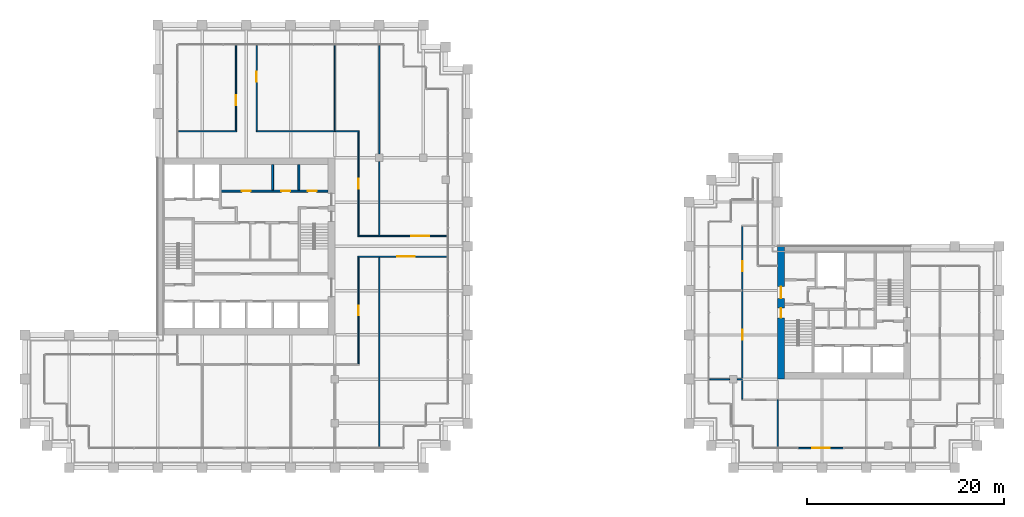
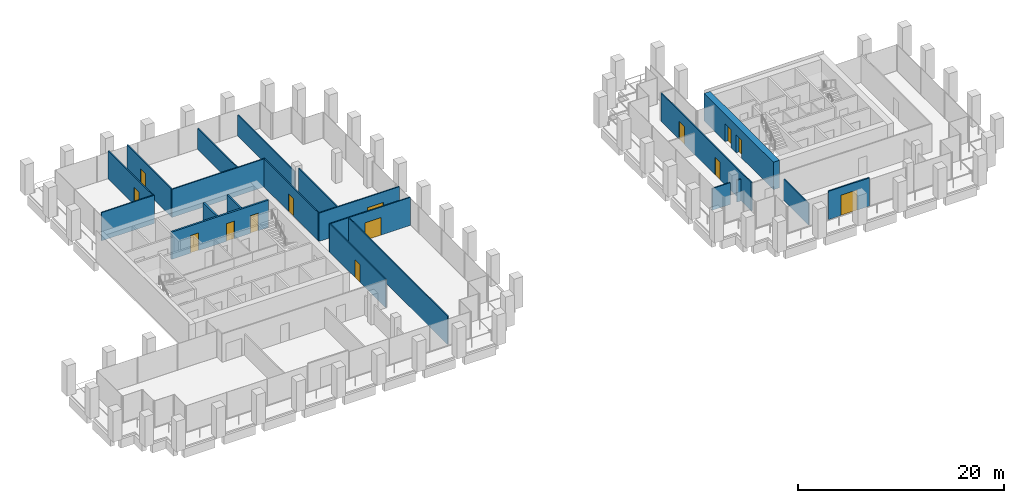
# One storey, part 42 of 45: 21 walls, 14 doors, 14 openings.
"""IFC4 building model written with IfcOpenShell, lengths in metres."""

from ifc_helpers import new_model, si_unit, direction, frame, frame_2d, origin, place, context, subcontext, project, spatial, rectangle, extrude, material, layer, layer_set, type_object, element, fill, save


model = new_model("IFC4")

# Units and contexts
model_context = context("Model", 3, precision=1e-05, world=origin(), true_north=direction((0.0, 1.0)))
body_context = subcontext(model_context, "Body", "Model", "MODEL_VIEW")
ifc_project = project(units=[si_unit("LENGTHUNIT", "METRE"), si_unit("AREAUNIT", "SQUARE_METRE"), si_unit("VOLUMEUNIT", "CUBIC_METRE"), si_unit("PLANEANGLEUNIT", "RADIAN"), si_unit("MASSUNIT", "GRAM", prefix="KILO")], contexts=[model_context])

# Site, building, storey
site_placement = place(None, origin())
site = spatial("IfcSite", under=ifc_project, at=site_placement, CompositionType="ELEMENT")
building_placement = place(site_placement, origin())
building = spatial("IfcBuilding", under=site, at=building_placement, Name="Altepetl Exchange Towers", CompositionType="ELEMENT")
storey_placement = place(building_placement, frame((0.0, 0.0, 110.0)))
storey = spatial("IfcBuildingStorey", under=building, at=storey_placement, Name="L27", CompositionType="ELEMENT", Elevation=110.0)

# Wall, openings, doors
ifc_material_1 = material(Name="Concrete C70/85", Category="concrete")
ifc_layer_1 = layer(ifc_material_1, 0.699951171875)
ifc_layer_set_1 = layer_set([ifc_layer_1], Name="Concrete C70/85")
wall_type_1 = type_object("IfcWallType", Name="Core wall 700 reinforced concrete", PredefinedType="SHEAR", material=ifc_layer_set_1)
wall_1_placement = place(storey_placement, frame((103.85009765625, 36.0, 0.0), z_axis=(0.0, 0.0, 1.0), x_axis=(0.0, 1.0, 0.0)))
wall_1 = element("IfcWall", 1, at=wall_1_placement, inside=storey, type_object=wall_type_1, Name="wall:B:L27:K-coreW", PredefinedType="SHEAR", context=body_context, shape_type="SweptSolid", body=[
    extrude(rectangle(XDim=13.5, YDim=0.699951171875, at=frame_2d((6.75, 0.0))), origin(), (0.0, 0.0, 1.0), 3.25),
])
opening_1_placement = place(wall_1_placement, frame((8.199951171875, 0.0, 0.0)))
opening_1 = element("IfcOpeningElement", 2, at=opening_1_placement, cuts=wall_1, Name="Opening L27.B60", PredefinedType="OPENING", context=body_context, shape_type="SweptSolid", body=[
    extrude(rectangle(XDim=1.199951171875, YDim=2.10009765625, at=frame_2d((0.60009765625, 1.050048828125))), frame((0.0, 0.35986328125, 0.0), z_axis=(0.0, -1.0, 0.0), x_axis=(1.0, 0.0, 0.0)), (0.0, 0.0, 1.0), 0.719970703125),
])
opening_2_placement = place(wall_1_placement, frame((6.22509765625, 0.0, 0.0)))
opening_2 = element("IfcOpeningElement", 3, at=opening_2_placement, cuts=wall_1, Name="Opening L27.B63", PredefinedType="OPENING", context=body_context, shape_type="SweptSolid", body=[
    extrude(rectangle(XDim=1.0, YDim=2.10009765625, at=frame_2d((0.5, 1.050048828125))), frame((0.0, 0.35986328125, 0.0), z_axis=(0.0, -1.0, 0.0), x_axis=(1.0, 0.0, 0.0)), (0.0, 0.0, 1.0), 0.719970703125),
])
ifc_material_2 = material(Name="Steel and timber fire door", Category="steel")
door_type_1 = type_object("IfcDoorType", Name="Fire door 1000 x 2100 stair and lobby", OperationType="SINGLE_SWING_LEFT", PredefinedType="DOOR", material=ifc_material_2)
door_1_placement = place(opening_2_placement, frame((1.0, 0.0, 0.0), x_axis=(-1.0, 0.0, 0.0)))
door_1 = element("IfcDoor", 4, at=door_1_placement, inside=storey, type_object=door_type_1, Name="door:B:L27:K-dS1x", OperationType="SINGLE_SWING_RIGHT", OverallHeight=2.10009765625, OverallWidth=1.0, PredefinedType="DOOR", context=body_context, shape_type="SweptSolid", body=[
    extrude(rectangle(XDim=1.0, YDim=2.10009765625, at=frame_2d((0.5, 1.050048828125))), frame((0.0, 0.02490234375, 0.0), z_axis=(0.0, -1.0, 0.0), x_axis=(1.0, 0.0, 0.0)), (0.0, 0.0, 1.0), 0.050048828125),
])
fill(opening_2, door_1)
door_type_2 = type_object("IfcDoorType", Name="Fire door 1200 x 2100 lobby entry", OperationType="SINGLE_SWING_LEFT", PredefinedType="DOOR", material=ifc_material_2)
door_2_placement = place(opening_1_placement, frame((1.199951171875, 0.0, 0.0), x_axis=(-1.0, 0.0, 0.0)))
door_2 = element("IfcDoor", 5, at=door_2_placement, inside=storey, type_object=door_type_2, Name="door:B:L27:K-dLNW", OperationType="SINGLE_SWING_RIGHT", OverallHeight=2.10009765625, OverallWidth=1.199951171875, PredefinedType="DOOR", context=body_context, shape_type="SweptSolid", body=[
    extrude(rectangle(XDim=1.199951171875, YDim=2.10009765625, at=frame_2d((0.60009765625, 1.050048828125))), frame((0.0, 0.02490234375, 0.0), z_axis=(0.0, -1.0, 0.0), x_axis=(1.0, 0.0, 0.0)), (0.0, 0.0, 1.0), 0.050048828125),
])
fill(opening_1, door_2)

# Wall, opening, door
ifc_material_3 = material(Name="Aluminium composite cladding", Category="aluminium")
ifc_layer_2 = layer(ifc_material_3, 0.14990234375)
ifc_layer_set_2 = layer_set([ifc_layer_2], Name="Aluminium composite cladding")
wall_type_2 = type_object("IfcWallType", Name="Infill wall 150 aluminium panel", PredefinedType="SOLIDWALL", material=ifc_layer_set_2)
wall_2_placement = place(storey_placement, frame((105.606201171875, 29.0, 0.0)))
wall_2 = element("IfcWall", 6, at=wall_2_placement, inside=storey, type_object=wall_type_2, Name="Loggia door bay wall", PredefinedType="SOLIDWALL", context=body_context, shape_type="SweptSolid", body=[
    extrude(rectangle(XDim=4.606201171875, YDim=0.14990234375, at=frame_2d((2.30322265625, 0.0))), origin(), (0.0, 0.0, 1.0), 3.35009765625),
])
opening_3_placement = place(wall_2_placement, frame((1.403076171875, 0.0, 0.0)))
opening_3 = element("IfcOpeningElement", 7, at=opening_3_placement, cuts=wall_2, Name="Opening L27.B90", PredefinedType="OPENING", context=body_context, shape_type="SweptSolid", body=[
    extrude(rectangle(XDim=1.800048828125, YDim=2.39990234375, at=frame_2d((0.89990234375, 1.199951171875))), frame((0.0, 0.0849609375, 0.0), z_axis=(0.0, -1.0, 0.0), x_axis=(1.0, 0.0, 0.0)), (0.0, 0.0, 1.0), 0.169921875),
])
ifc_material_4 = material(Name="Aluminium 6063-T6 and glass", Category="aluminium")
door_type_3 = type_object("IfcDoorType", Name="Glazed door pair 1800x2400", OperationType="DOUBLE_DOOR_DOUBLE_SWING", PredefinedType="NOTDEFINED", material=ifc_material_4)
door_3_placement = place(opening_3_placement, frame((1.800048828125, 0.0, 0.0), x_axis=(-1.0, 0.0, 0.0)))
door_3 = element("IfcDoor", 8, at=door_3_placement, inside=storey, type_object=door_type_3, Name="Loggia door", OperationType="DOUBLE_DOOR_DOUBLE_SWING", OverallHeight=2.39990234375, OverallWidth=1.800048828125, PredefinedType="NOTDEFINED", context=body_context, shape_type="SweptSolid", body=[
    extrude(rectangle(XDim=1.800048828125, YDim=2.39990234375, at=frame_2d((0.89990234375, 1.199951171875))), frame((0.0, 0.02490234375, 0.0), z_axis=(0.0, -1.0, 0.0), x_axis=(1.0, 0.0, 0.0)), (0.0, 0.0, 1.0), 0.050048828125),
])
fill(opening_3, door_3)

# Wall
ifc_material_5 = material(Name="Timber panels on aluminium track", Category="wood")
ifc_layer_3 = layer(ifc_material_5, 0.125)
ifc_layer_set_3 = layer_set([ifc_layer_3], Name="Timber panels on aluminium track")
wall_type_3 = type_object("IfcWallType", Name="Operable acoustic partition 125", PredefinedType="MOVABLE", material=ifc_layer_set_3)
wall_3_placement = place(storey_placement, frame((58.5, 61.199951171875, 0.0), z_axis=(0.0, 0.0, 1.0), x_axis=(0.0, 1.0, 0.0)))
element("IfcWall", 9, at=wall_3_placement, inside=storey, type_object=wall_type_3, Name="wall:A:L27:P14", PredefinedType="MOVABLE", context=body_context, shape_type="SweptSolid", body=[
    extrude(rectangle(XDim=8.699951171875, YDim=0.125, at=frame_2d((4.35009765625, 0.0))), origin(), (0.0, 0.0, 1.0), 2.50390625),
])

# Wall, opening, door
ifc_material_6 = material(Name="Gypsum board on steel studs", Category="steel")
ifc_layer_4 = layer(ifc_material_6, 0.125)
ifc_layer_set_4 = layer_set([ifc_layer_4], Name="Gypsum board on steel studs")
wall_type_4 = type_object("IfcWallType", Name="Partition 125 gypsum board on steel studs", PredefinedType="PARTITIONING", material=ifc_layer_set_4)
wall_4_placement = place(storey_placement, frame((60.83740234375, 48.449951171875, 0.0)))
wall_4 = element("IfcWall", 10, at=wall_4_placement, inside=storey, type_object=wall_type_4, Name="wall:A:L27:P02", PredefinedType="PARTITIONING", context=body_context, shape_type="SweptSolid", body=[
    extrude(rectangle(XDim=9.0625, YDim=0.125, at=frame_2d((4.53125, 0.0))), origin(), (0.0, 0.0, 1.0), 3.35009765625),
])
opening_4_placement = place(wall_4_placement, frame((3.9775390625, 0.0, 0.0)))
opening_4 = element("IfcOpeningElement", 11, at=opening_4_placement, cuts=wall_4, Name="Opening L27.A05", PredefinedType="OPENING", context=body_context, shape_type="SweptSolid", body=[
    extrude(rectangle(XDim=1.800048828125, YDim=2.10009765625, at=frame_2d((0.89990234375, 1.050048828125))), frame((0.0, 0.072509765625, 0.0), z_axis=(0.0, -1.0, 0.0), x_axis=(1.0, 0.0, 0.0)), (0.0, 0.0, 1.0), 0.14501953125),
])
door_type_4 = type_object("IfcDoorType", Name="Fire door 1800 x 2100 double leaf", OperationType="DOUBLE_DOOR_SINGLE_SWING", PredefinedType="DOOR", material=ifc_material_2)
door_4_placement = place(opening_4_placement, frame((1.800048828125, 0.0, 0.0), x_axis=(-1.0, 0.0, 0.0)))
door_4 = element("IfcDoor", 12, at=door_4_placement, inside=storey, type_object=door_type_4, Name="door:A:L27:05", OperationType="DOUBLE_DOOR_SINGLE_SWING", OverallHeight=2.10009765625, OverallWidth=1.800048828125, PredefinedType="DOOR", context=body_context, shape_type="SweptSolid", body=[
    extrude(rectangle(XDim=1.800048828125, YDim=2.10009765625, at=frame_2d((0.89990234375, 1.050048828125))), frame((0.0, 0.02490234375, 0.0), z_axis=(0.0, -1.0, 0.0), x_axis=(1.0, 0.0, 0.0)), (0.0, 0.0, 1.0), 0.050048828125),
])
fill(opening_4, door_4)

wall_5_placement = place(storey_placement, frame((60.83740234375, 50.550048828125, 0.0)))
wall_5 = element("IfcWall", 13, at=wall_5_placement, inside=storey, type_object=wall_type_4, Name="wall:A:L27:P03", PredefinedType="PARTITIONING", context=body_context, shape_type="SweptSolid", body=[
    extrude(rectangle(XDim=9.0625, YDim=0.125, at=frame_2d((4.53125, 0.0))), origin(), (0.0, 0.0, 1.0), 3.35009765625),
])
opening_5_placement = place(wall_5_placement, frame((5.447509765625, 0.0, 0.0)))
opening_5 = element("IfcOpeningElement", 14, at=opening_5_placement, cuts=wall_5, Name="Opening L27.A06", PredefinedType="OPENING", context=body_context, shape_type="SweptSolid", body=[
    extrude(rectangle(XDim=1.800048828125, YDim=2.10009765625, at=frame_2d((0.89990234375, 1.050048828125))), frame((0.0, 0.072509765625, 0.0), z_axis=(0.0, -1.0, 0.0), x_axis=(1.0, 0.0, 0.0)), (0.0, 0.0, 1.0), 0.14501953125),
])
door_5_placement = place(opening_5_placement, origin())
door_5 = element("IfcDoor", 15, at=door_5_placement, inside=storey, type_object=door_type_4, Name="door:A:L27:06", OperationType="DOUBLE_DOOR_SINGLE_SWING", OverallHeight=2.10009765625, OverallWidth=1.800048828125, PredefinedType="DOOR", context=body_context, shape_type="SweptSolid", body=[
    extrude(rectangle(XDim=1.800048828125, YDim=2.10009765625, at=frame_2d((0.89990234375, 1.050048828125))), frame((0.0, 0.02490234375, 0.0), z_axis=(0.0, -1.0, 0.0), x_axis=(1.0, 0.0, 0.0)), (0.0, 0.0, 1.0), 0.050048828125),
])
fill(opening_5, door_5)

# Walls
wall_6_placement = place(storey_placement, frame((42.60009765625, 61.199951171875, 0.0)))
element("IfcWall", 16, at=wall_6_placement, inside=storey, type_object=wall_type_4, Name="wall:A:L27:P04", PredefinedType="PARTITIONING", context=body_context, shape_type="SweptSolid", body=[
    extrude(rectangle(XDim=5.912353515625, YDim=0.125, at=frame_2d((2.9560546875, 0.0))), origin(), (0.0, 0.0, 1.0), 3.35009765625),
])
wall_7_placement = place(storey_placement, frame((50.487548828125, 61.199951171875, 0.0)))
element("IfcWall", 17, at=wall_7_placement, inside=storey, type_object=wall_type_4, Name="wall:A:L27:P05", PredefinedType="PARTITIONING", context=body_context, shape_type="SweptSolid", body=[
    extrude(rectangle(XDim=10.474853515625, YDim=0.125, at=frame_2d((5.2373046875, 0.0))), origin(), (0.0, 0.0, 1.0), 3.35009765625),
])

# Wall, opening, door
wall_8_placement = place(storey_placement, frame((48.449951171875, 61.262451171875, 0.0), z_axis=(0.0, 0.0, 1.0), x_axis=(0.0, 1.0, 0.0)))
wall_8 = element("IfcWall", 18, at=wall_8_placement, inside=storey, type_object=wall_type_4, Name="wall:A:L27:P08", PredefinedType="PARTITIONING", context=body_context, shape_type="SweptSolid", body=[
    extrude(rectangle(XDim=8.637451171875, YDim=0.125, at=frame_2d((4.31884765625, 0.0))), origin(), (0.0, 0.0, 1.0), 3.35009765625),
])
opening_6_placement = place(wall_8_placement, frame((2.597412109375, 0.0, 0.0)))
opening_6 = element("IfcOpeningElement", 19, at=opening_6_placement, cuts=wall_8, Name="Opening L27.A08", PredefinedType="OPENING", context=body_context, shape_type="SweptSolid", body=[
    extrude(rectangle(XDim=1.0, YDim=2.10009765625, at=frame_2d((0.5, 1.050048828125))), frame((0.0, 0.072509765625, 0.0), z_axis=(0.0, -1.0, 0.0), x_axis=(1.0, 0.0, 0.0)), (0.0, 0.0, 1.0), 0.14501953125),
])
door_type_5 = type_object("IfcDoorType", Name="Fire door 1000 x 2100 single leaf", OperationType="SINGLE_SWING_LEFT", PredefinedType="DOOR", material=ifc_material_2)
door_6_placement = place(opening_6_placement, origin())
door_6 = element("IfcDoor", 20, at=door_6_placement, inside=storey, type_object=door_type_5, Name="door:A:L27:08", OperationType="SINGLE_SWING_LEFT", OverallHeight=2.10009765625, OverallWidth=1.0, PredefinedType="DOOR", context=body_context, shape_type="SweptSolid", body=[
    extrude(rectangle(XDim=1.0, YDim=2.10009765625, at=frame_2d((0.5, 1.050048828125))), frame((0.0, 0.02490234375, 0.0), z_axis=(0.0, -1.0, 0.0), x_axis=(1.0, 0.0, 0.0)), (0.0, 0.0, 1.0), 0.050048828125),
])
fill(opening_6, door_6)

wall_9_placement = place(storey_placement, frame((50.550048828125, 61.262451171875, 0.0), z_axis=(0.0, 0.0, 1.0), x_axis=(0.0, 1.0, 0.0)))
wall_9 = element("IfcWall", 21, at=wall_9_placement, inside=storey, type_object=wall_type_4, Name="wall:A:L27:P09", PredefinedType="PARTITIONING", context=body_context, shape_type="SweptSolid", body=[
    extrude(rectangle(XDim=8.637451171875, YDim=0.125, at=frame_2d((4.31884765625, 0.0))), origin(), (0.0, 0.0, 1.0), 3.35009765625),
])
opening_7_placement = place(wall_9_placement, frame((4.9775390625, 0.0, 0.0)))
opening_7 = element("IfcOpeningElement", 22, at=opening_7_placement, cuts=wall_9, Name="Opening L27.A09", PredefinedType="OPENING", context=body_context, shape_type="SweptSolid", body=[
    extrude(rectangle(XDim=1.0, YDim=2.10009765625, at=frame_2d((0.5, 1.050048828125))), frame((0.0, 0.072509765625, 0.0), z_axis=(0.0, -1.0, 0.0), x_axis=(1.0, 0.0, 0.0)), (0.0, 0.0, 1.0), 0.14501953125),
])
door_7_placement = place(opening_7_placement, frame((1.0, 0.0, 0.0), x_axis=(-1.0, 0.0, 0.0)))
door_7 = element("IfcDoor", 23, at=door_7_placement, inside=storey, type_object=door_type_5, Name="door:A:L27:09", OperationType="SINGLE_SWING_RIGHT", OverallHeight=2.10009765625, OverallWidth=1.0, PredefinedType="DOOR", context=body_context, shape_type="SweptSolid", body=[
    extrude(rectangle(XDim=1.0, YDim=2.10009765625, at=frame_2d((0.5, 1.050048828125))), frame((0.0, 0.02490234375, 0.0), z_axis=(0.0, -1.0, 0.0), x_axis=(1.0, 0.0, 0.0)), (0.0, 0.0, 1.0), 0.050048828125),
])
fill(opening_7, door_7)

wall_10_placement = place(storey_placement, frame((60.89990234375, 37.5625, 0.0), z_axis=(0.0, 0.0, 1.0), x_axis=(0.0, 1.0, 0.0)))
wall_10 = element("IfcWall", 24, at=wall_10_placement, inside=storey, type_object=wall_type_4, Name="wall:A:L27:P15", PredefinedType="PARTITIONING", context=body_context, shape_type="SweptSolid", body=[
    extrude(rectangle(XDim=10.824951171875, YDim=0.125, at=frame_2d((5.41259765625, 0.0))), origin(), (0.0, 0.0, 1.0), 3.35009765625),
])
opening_8_placement = place(wall_10_placement, frame((4.91259765625, 0.0, 0.0)))
opening_8 = element("IfcOpeningElement", 25, at=opening_8_placement, cuts=wall_10, Name="Opening L27.A04", PredefinedType="OPENING", context=body_context, shape_type="SweptSolid", body=[
    extrude(rectangle(XDim=1.0, YDim=2.10009765625, at=frame_2d((0.5, 1.050048828125))), frame((0.0, 0.072509765625, 0.0), z_axis=(0.0, -1.0, 0.0), x_axis=(1.0, 0.0, 0.0)), (0.0, 0.0, 1.0), 0.14501953125),
])
door_8_placement = place(opening_8_placement, frame((1.0, 0.0, 0.0), x_axis=(-1.0, 0.0, 0.0)))
door_8 = element("IfcDoor", 26, at=door_8_placement, inside=storey, type_object=door_type_5, Name="door:A:L27:04", OperationType="SINGLE_SWING_RIGHT", OverallHeight=2.10009765625, OverallWidth=1.0, PredefinedType="DOOR", context=body_context, shape_type="SweptSolid", body=[
    extrude(rectangle(XDim=1.0, YDim=2.10009765625, at=frame_2d((0.5, 1.050048828125))), frame((0.0, 0.02490234375, 0.0), z_axis=(0.0, -1.0, 0.0), x_axis=(1.0, 0.0, 0.0)), (0.0, 0.0, 1.0), 0.050048828125),
])
fill(opening_8, door_8)

wall_11_placement = place(storey_placement, frame((60.89990234375, 50.612548828125, 0.0), z_axis=(0.0, 0.0, 1.0), x_axis=(0.0, 1.0, 0.0)))
wall_11 = element("IfcWall", 27, at=wall_11_placement, inside=storey, type_object=wall_type_4, Name="wall:A:L27:P16", PredefinedType="PARTITIONING", context=body_context, shape_type="SweptSolid", body=[
    extrude(rectangle(XDim=10.52490234375, YDim=0.125, at=frame_2d((5.262451171875, 0.0))), origin(), (0.0, 0.0, 1.0), 3.35009765625),
])
opening_9_placement = place(wall_11_placement, frame((4.762451171875, 0.0, 0.0)))
opening_9 = element("IfcOpeningElement", 28, at=opening_9_placement, cuts=wall_11, Name="Opening L27.A07", PredefinedType="OPENING", context=body_context, shape_type="SweptSolid", body=[
    extrude(rectangle(XDim=1.0, YDim=2.10009765625, at=frame_2d((0.5, 1.050048828125))), frame((0.0, 0.072509765625, 0.0), z_axis=(0.0, -1.0, 0.0), x_axis=(1.0, 0.0, 0.0)), (0.0, 0.0, 1.0), 0.14501953125),
])
door_9_placement = place(opening_9_placement, frame((1.0, 0.0, 0.0), x_axis=(-1.0, 0.0, 0.0)))
door_9 = element("IfcDoor", 29, at=door_9_placement, inside=storey, type_object=door_type_5, Name="door:A:L27:07", OperationType="SINGLE_SWING_RIGHT", OverallHeight=2.10009765625, OverallWidth=1.0, PredefinedType="DOOR", context=body_context, shape_type="SweptSolid", body=[
    extrude(rectangle(XDim=1.0, YDim=2.10009765625, at=frame_2d((0.5, 1.050048828125))), frame((0.0, 0.02490234375, 0.0), z_axis=(0.0, -1.0, 0.0), x_axis=(1.0, 0.0, 0.0)), (0.0, 0.0, 1.0), 0.050048828125),
])
fill(opening_9, door_9)

# Walls
wall_12_placement = place(storey_placement, frame((63.0, 29.10009765625, 0.0), z_axis=(0.0, 0.0, 1.0), x_axis=(0.0, 1.0, 0.0)))
element("IfcWall", 30, at=wall_12_placement, inside=storey, type_object=wall_type_4, Name="wall:A:L27:P17", PredefinedType="PARTITIONING", context=body_context, shape_type="SweptSolid", body=[
    extrude(rectangle(XDim=19.349853515625, YDim=0.125, at=frame_2d((9.6748046875, 0.0))), origin(), (0.0, 0.0, 1.0), 3.35009765625),
])
wall_13_placement = place(storey_placement, frame((63.0, 50.550048828125, 0.0), z_axis=(0.0, 0.0, 1.0), x_axis=(0.0, 1.0, 0.0)))
element("IfcWall", 31, at=wall_13_placement, inside=storey, type_object=wall_type_4, Name="wall:A:L27:P18", PredefinedType="PARTITIONING", context=body_context, shape_type="SweptSolid", body=[
    extrude(rectangle(XDim=7.574951171875, YDim=0.125, at=frame_2d((3.78759765625, 0.0))), origin(), (0.0, 0.0, 1.0), 3.35009765625),
])
wall_14_placement = place(storey_placement, frame((63.0, 58.875, 0.0), z_axis=(0.0, 0.0, 1.0), x_axis=(0.0, 1.0, 0.0)))
element("IfcWall", 32, at=wall_14_placement, inside=storey, type_object=wall_type_4, Name="wall:A:L27:P19", PredefinedType="PARTITIONING", context=body_context, shape_type="SweptSolid", body=[
    extrude(rectangle(XDim=11.02490234375, YDim=0.125, at=frame_2d((5.512451171875, 0.0))), origin(), (0.0, 0.0, 1.0), 2.50390625),
])
wall_15_placement = place(storey_placement, frame((96.60009765625, 36.0, 0.0)))
element("IfcWall", 33, at=wall_15_placement, inside=storey, type_object=wall_type_4, Name="wall:B:L27:P02", PredefinedType="PARTITIONING", context=body_context, shape_type="SweptSolid", body=[
    extrude(rectangle(XDim=2.02490234375, YDim=0.125, at=frame_2d((1.012451171875, 0.0))), origin(), (0.0, 0.0, 1.0), 2.575927734375),
])
wall_16_placement = place(storey_placement, frame((99.375, 36.0, 0.0)))
element("IfcWall", 34, at=wall_16_placement, inside=storey, type_object=wall_type_4, Name="wall:B:L27:P03", PredefinedType="PARTITIONING", context=body_context, shape_type="SweptSolid", body=[
    extrude(rectangle(XDim=0.52490234375, YDim=0.125, at=frame_2d((0.262451171875, 0.0))), origin(), (0.0, 0.0, 1.0), 2.575927734375),
])

# Wall, openings, doors
wall_17_placement = place(storey_placement, frame((99.89990234375, 33.96240234375, 0.0), z_axis=(0.0, 0.0, 1.0), x_axis=(0.0, 1.0, 0.0)))
wall_17 = element("IfcWall", 35, at=wall_17_placement, inside=storey, type_object=wall_type_4, Name="wall:B:L27:P06", PredefinedType="PARTITIONING", context=body_context, shape_type="SweptSolid", body=[
    extrude(rectangle(XDim=17.5751953125, YDim=0.125, at=frame_2d((8.78759765625, 0.0))), origin(), (0.0, 0.0, 1.0), 3.35009765625),
])
opening_10_placement = place(wall_17_placement, frame((6.03759765625, 0.0, 0.0)))
opening_10 = element("IfcOpeningElement", 36, at=opening_10_placement, cuts=wall_17, Name="Opening L27.B01", PredefinedType="OPENING", context=body_context, shape_type="SweptSolid", body=[
    extrude(rectangle(XDim=1.0, YDim=2.10009765625, at=frame_2d((0.5, 1.050048828125))), frame((0.0, 0.072509765625, 0.0), z_axis=(0.0, -1.0, 0.0), x_axis=(1.0, 0.0, 0.0)), (0.0, 0.0, 1.0), 0.14501953125),
])
opening_11_placement = place(wall_17_placement, frame((13.014404296875, 0.0, 0.0)))
opening_11 = element("IfcOpeningElement", 37, at=opening_11_placement, cuts=wall_17, Name="Opening L27.B05", PredefinedType="OPENING", context=body_context, shape_type="SweptSolid", body=[
    extrude(rectangle(XDim=1.0, YDim=2.10009765625, at=frame_2d((0.5, 1.050048828125))), frame((0.0, 0.072509765625, 0.0), z_axis=(0.0, -1.0, 0.0), x_axis=(1.0, 0.0, 0.0)), (0.0, 0.0, 1.0), 0.14501953125),
])
door_10_placement = place(opening_10_placement, origin())
door_10 = element("IfcDoor", 38, at=door_10_placement, inside=storey, type_object=door_type_5, Name="door:B:L27:01", OperationType="SINGLE_SWING_LEFT", OverallHeight=2.10009765625, OverallWidth=1.0, PredefinedType="DOOR", context=body_context, shape_type="SweptSolid", body=[
    extrude(rectangle(XDim=1.0, YDim=2.10009765625, at=frame_2d((0.5, 1.050048828125))), frame((0.0, 0.02490234375, 0.0), z_axis=(0.0, -1.0, 0.0), x_axis=(1.0, 0.0, 0.0)), (0.0, 0.0, 1.0), 0.050048828125),
])
fill(opening_10, door_10)
door_11_placement = place(opening_11_placement, origin())
door_11 = element("IfcDoor", 39, at=door_11_placement, inside=storey, type_object=door_type_5, Name="door:B:L27:05", OperationType="SINGLE_SWING_RIGHT", OverallHeight=2.10009765625, OverallWidth=1.0, PredefinedType="DOOR", context=body_context, shape_type="SweptSolid", body=[
    extrude(rectangle(XDim=1.0, YDim=2.10009765625, at=frame_2d((0.5, 1.050048828125))), frame((0.0, 0.02490234375, 0.0), z_axis=(0.0, -1.0, 0.0), x_axis=(1.0, 0.0, 0.0)), (0.0, 0.0, 1.0), 0.050048828125),
])
fill(opening_11, door_11)

# Walls
wall_18_placement = place(storey_placement, frame((103.5, 29.10009765625, 0.0), z_axis=(0.0, 0.0, 1.0), x_axis=(0.0, 1.0, 0.0)))
element("IfcWall", 40, at=wall_18_placement, inside=storey, type_object=wall_type_4, Name="wall:B:L27:P07", PredefinedType="PARTITIONING", context=body_context, shape_type="SweptSolid", body=[
    extrude(rectangle(XDim=4.7998046875, YDim=0.125, at=frame_2d((2.39990234375, 0.0))), origin(), (0.0, 0.0, 1.0), 2.592041015625),
])
ifc_material_7 = material(Name="Concrete C40/50", Category="concrete")
ifc_layer_5 = layer(ifc_material_7, 0.199951171875)
ifc_layer_set_5 = layer_set([ifc_layer_5], Name="Concrete C40/50")
wall_type_5 = type_object("IfcWallType", Name="Shaft wall 200 reinforced concrete", PredefinedType="SHEAR", material=ifc_layer_set_5)
for number, where, z_axis, x_axis, name in (
    (41, (52.166748046875, 57.800048828125, 0.0), (0.0, 0.0, 1.0), (0.0, -1.0, 0.0), "wall:A:L27:K-divN4"),
    (42, (54.833251953125, 57.800048828125, 0.0), (0.0, 0.0, 1.0), (0.0, -1.0, 0.0), "wall:A:L27:K-divN5"),
):
    element("IfcWall", number, at=place(storey_placement, frame(where, z_axis=z_axis, x_axis=x_axis)), inside=storey, type_object=wall_type_5, Name=name, PredefinedType="SHEAR", context=body_context, shape_type="SweptSolid", body=[
        extrude(rectangle(XDim=2.60009765625, YDim=0.199951171875, at=frame_2d((1.300048828125, 0.0))), origin(), (0.0, 0.0, 1.0), 3.25),
    ])

# Wall, openings, doors
wall_19_placement = place(storey_placement, frame((46.933349609375, 55.10009765625, 0.0)))
wall_19 = element("IfcWall", 43, at=wall_19_placement, inside=storey, type_object=wall_type_5, Name="wall:A:L27:K-frontNb", PredefinedType="SHEAR", context=body_context, shape_type="SweptSolid", body=[
    extrude(rectangle(XDim=10.86669921875, YDim=0.199951171875, at=frame_2d((5.433349609375, 0.0))), origin(), (0.0, 0.0, 1.0), 3.25),
])
opening_12_placement = place(wall_19_placement, frame((8.83349609375, 0.0, 0.0)))
opening_12 = element("IfcOpeningElement", 44, at=opening_12_placement, cuts=wall_19, Name="Opening L27.A66", PredefinedType="OPENING", context=body_context, shape_type="SweptSolid", body=[
    extrude(rectangle(XDim=0.89990234375, YDim=2.10009765625, at=frame_2d((0.449951171875, 1.050048828125))), frame((0.0, 0.10986328125, 0.0), z_axis=(0.0, -1.0, 0.0), x_axis=(1.0, 0.0, 0.0)), (0.0, 0.0, 1.0), 0.219970703125),
])
opening_13_placement = place(wall_19_placement, frame((2.11669921875, 0.0, 0.0)))
opening_13 = element("IfcOpeningElement", 45, at=opening_13_placement, cuts=wall_19, Name="Opening L27.A67", PredefinedType="OPENING", context=body_context, shape_type="SweptSolid", body=[
    extrude(rectangle(XDim=0.89990234375, YDim=2.10009765625, at=frame_2d((0.449951171875, 1.050048828125))), frame((0.0, 0.10986328125, 0.0), z_axis=(0.0, -1.0, 0.0), x_axis=(1.0, 0.0, 0.0)), (0.0, 0.0, 1.0), 0.219970703125),
])
opening_14_placement = place(wall_19_placement, frame((6.11669921875, 0.0, 0.0)))
opening_14 = element("IfcOpeningElement", 46, at=opening_14_placement, cuts=wall_19, Name="Opening L27.A68", PredefinedType="OPENING", context=body_context, shape_type="SweptSolid", body=[
    extrude(rectangle(XDim=0.89990234375, YDim=2.10009765625, at=frame_2d((0.449951171875, 1.050048828125))), frame((0.0, 0.10986328125, 0.0), z_axis=(0.0, -1.0, 0.0), x_axis=(1.0, 0.0, 0.0)), (0.0, 0.0, 1.0), 0.219970703125),
])
door_type_6 = type_object("IfcDoorType", Name="Fire door 900 x 2100 service room", OperationType="SINGLE_SWING_LEFT", PredefinedType="DOOR", material=ifc_material_2)
door_12_placement = place(opening_12_placement, origin())
door_12 = element("IfcDoor", 47, at=door_12_placement, inside=storey, type_object=door_type_6, Name="door:A:L27:K-driser", OperationType="SINGLE_SWING_RIGHT", OverallHeight=2.10009765625, OverallWidth=0.89990234375, PredefinedType="DOOR", context=body_context, shape_type="SweptSolid", body=[
    extrude(rectangle(XDim=0.89990234375, YDim=2.10009765625, at=frame_2d((0.449951171875, 1.050048828125))), frame((0.0, 0.02490234375, 0.0), z_axis=(0.0, -1.0, 0.0), x_axis=(1.0, 0.0, 0.0)), (0.0, 0.0, 1.0), 0.050048828125),
])
fill(opening_12, door_12)
door_13_placement = place(opening_13_placement, origin())
door_13 = element("IfcDoor", 48, at=door_13_placement, inside=storey, type_object=door_type_6, Name="door:A:L27:K-dslotN2", OperationType="SINGLE_SWING_RIGHT", OverallHeight=2.10009765625, OverallWidth=0.89990234375, PredefinedType="DOOR", context=body_context, shape_type="SweptSolid", body=[
    extrude(rectangle(XDim=0.89990234375, YDim=2.10009765625, at=frame_2d((0.449951171875, 1.050048828125))), frame((0.0, 0.02490234375, 0.0), z_axis=(0.0, -1.0, 0.0), x_axis=(1.0, 0.0, 0.0)), (0.0, 0.0, 1.0), 0.050048828125),
])
fill(opening_13, door_13)
door_14_placement = place(opening_14_placement, origin())
door_14 = element("IfcDoor", 49, at=door_14_placement, inside=storey, type_object=door_type_6, Name="door:A:L27:K-dslotN4", OperationType="SINGLE_SWING_RIGHT", OverallHeight=2.10009765625, OverallWidth=0.89990234375, PredefinedType="DOOR", context=body_context, shape_type="SweptSolid", body=[
    extrude(rectangle(XDim=0.89990234375, YDim=2.10009765625, at=frame_2d((0.449951171875, 1.050048828125))), frame((0.0, 0.02490234375, 0.0), z_axis=(0.0, -1.0, 0.0), x_axis=(1.0, 0.0, 0.0)), (0.0, 0.0, 1.0), 0.050048828125),
])
fill(opening_14, door_14)

save(model, "model.ifc")
